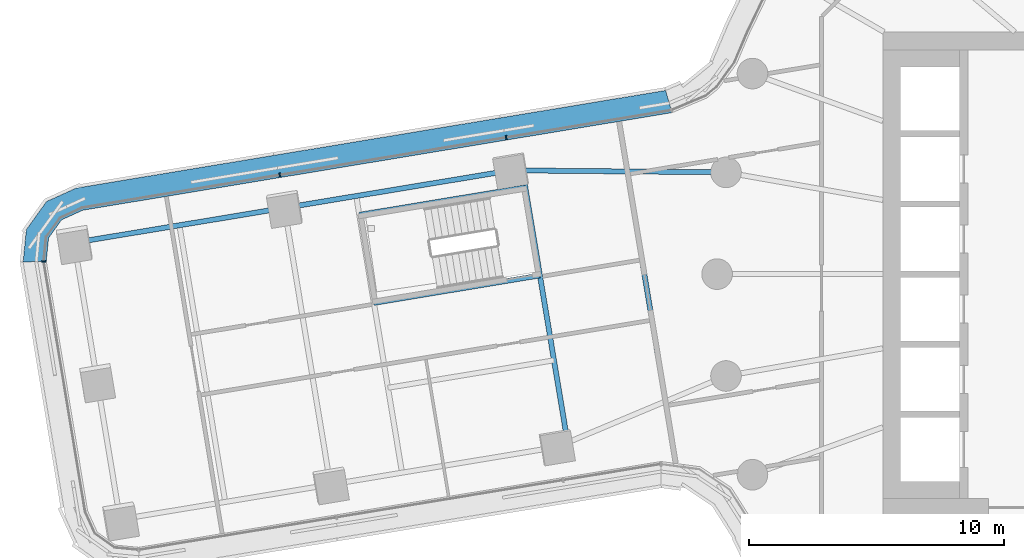
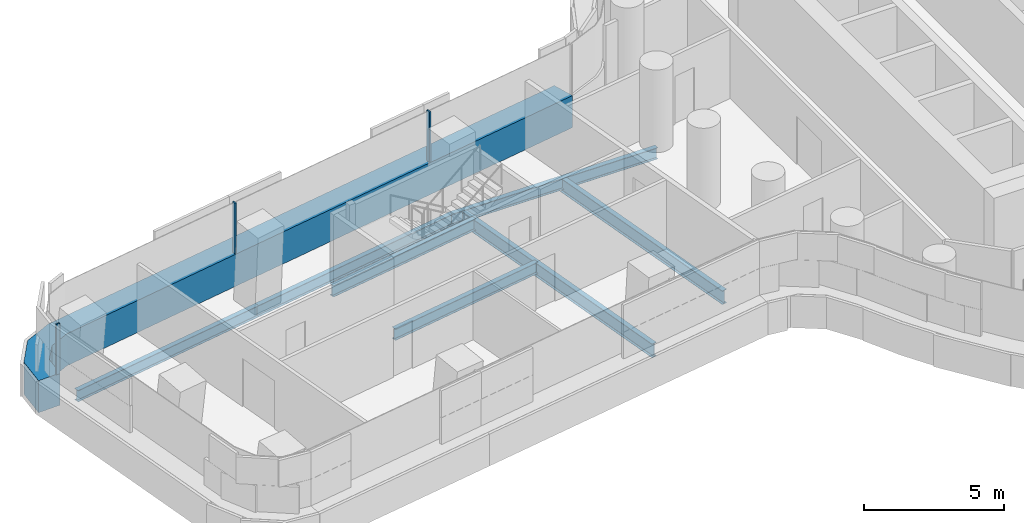
# One storey, part 8 of 32: 7 beams, 4 members, 2 elements without a shape of their own.
"""IFC4 building model written with IfcOpenShell, lengths in metres."""

from ifc_helpers import new_model, si_unit, direction, frame, origin, origin_2d, place, context, subcontext, project, spatial, polyline, rectangle, i_section, outline, extrude, material, layer, layer_set, material_profile, profile_set, type_object, element, aggregate, save


model = new_model("IFC4")

# Units and contexts
model_context = context("Model", 3, precision=1e-05, world=origin(), true_north=direction((0.0, 1.0)))
body_context = subcontext(model_context, "Body", "Model", "MODEL_VIEW")
ifc_project = project(units=[si_unit("LENGTHUNIT", "METRE"), si_unit("AREAUNIT", "SQUARE_METRE"), si_unit("VOLUMEUNIT", "CUBIC_METRE"), si_unit("PLANEANGLEUNIT", "RADIAN"), si_unit("MASSUNIT", "GRAM", prefix="KILO")], contexts=[model_context])

# Site, building, storey
site_placement = place(None, origin())
site = spatial("IfcSite", under=ifc_project, at=site_placement, CompositionType="ELEMENT")
building_placement = place(site_placement, origin())
building = spatial("IfcBuilding", under=site, at=building_placement, Name="Tamarind Cross Interchange Tower", CompositionType="ELEMENT")
storey_placement = place(building_placement, frame((0.0, 0.0, 67.75)))
storey = spatial("IfcBuildingStorey", under=building, at=storey_placement, Name="L15", CompositionType="ELEMENT", Elevation=67.75)

# Beams
ifc_material_1 = material(Name="Steel Q355B", Category="steel")
ifc_material_profile_1 = material_profile(ifc_material_1, i_section(OverallWidth=0.198974609375, OverallDepth=0.49609375, WebThickness=0.009033203125, FlangeThickness=0.013916015625, FilletRadius=0.012939453125, at=origin_2d()), Name="HN 496x199x9x14")
ifc_profile_set_1 = profile_set([ifc_material_profile_1], Name="Steel Q355B")
beam_type_1 = type_object("IfcBeamType", Name="Composite beam HN 496x199x9x14 Q355B", PredefinedType="BEAM", material=ifc_profile_set_1)
beam_1_placement = place(storey_placement, frame((-48.214111328125, 1.233642578125, -0.387939453125), z_axis=(0.986562301654, 0.163385510234, 0.0), x_axis=(-0.163385510234, 0.986562301654, 0.0)))
element("IfcBeam", 1, at=beam_1_placement, inside=storey, type_object=beam_type_1, Name="Beam W-edgeem5", PredefinedType="BEAM", context=body_context, shape_type="SweptSolid", body=[
    extrude(i_section(OverallWidth=0.198974609375, OverallDepth=0.49609375, WebThickness=0.009033203125, FlangeThickness=0.013916015625, FilletRadius=0.012939453125, at=origin_2d()), origin(), (0.0, 0.0, 1.0), 8.3603515625),
])
beam_2_placement = place(storey_placement, frame((-39.966064453125, 2.599609375, -0.387939453125), z_axis=(0.986562033476, 0.163387129554, 0.0), x_axis=(-0.163387129554, 0.986562033476, 0.0)))
element("IfcBeam", 2, at=beam_2_placement, inside=storey, type_object=beam_type_1, Name="Beam W-edgeem6", PredefinedType="BEAM", context=body_context, shape_type="SweptSolid", body=[
    extrude(i_section(OverallWidth=0.198974609375, OverallDepth=0.49609375, WebThickness=0.009033203125, FlangeThickness=0.013916015625, FilletRadius=0.012939453125, at=origin_2d()), origin(), (0.0, 0.0, 1.0), 8.999755859375),
])
beam_3_placement = place(storey_placement, frame((-31.087158203125, 4.070068359375, -0.387939453125), z_axis=(0.999959242671, -0.00902845479, 0.0), x_axis=(0.00902845479, 0.999959242671, 0.0)))
element("IfcBeam", 3, at=beam_3_placement, inside=storey, type_object=beam_type_1, Name="Beam W-linkem", PredefinedType="BEAM", context=body_context, shape_type="SweptSolid", body=[
    extrude(i_section(OverallWidth=0.198974609375, OverallDepth=0.49609375, WebThickness=0.009033203125, FlangeThickness=0.013916015625, FilletRadius=0.012939453125, at=origin_2d()), origin(), (0.0, 0.0, 1.0), 8.436767578125),
])
beam_4_placement = place(storey_placement, frame((-30.5205078125, 3.403564453125, -0.387939453125), z_axis=(-0.986568319398, -0.163349169452, 0.0), x_axis=(0.163349169452, -0.986568319398, 0.0)))
element("IfcBeam", 4, at=beam_4_placement, inside=storey, type_object=beam_type_1, Name="Beam W-tr0", PredefinedType="BEAM", context=body_context, shape_type="SweptSolid", body=[
    extrude(i_section(OverallWidth=0.198974609375, OverallDepth=0.49609375, WebThickness=0.009033203125, FlangeThickness=0.013916015625, FilletRadius=0.012939453125, at=origin_2d()), origin(), (0.0, 0.0, 1.0), 6.60009765625),
])
beam_5_placement = place(storey_placement, frame((-29.94873046875, -0.04931640625, -0.387939453125), z_axis=(-0.986561370107, -0.163391135049, 0.0), x_axis=(0.163391135049, -0.986561370107, 0.0)))
element("IfcBeam", 5, at=beam_5_placement, inside=storey, type_object=beam_type_1, Name="Beam W-tr1", PredefinedType="BEAM", context=body_context, shape_type="SweptSolid", body=[
    extrude(i_section(OverallWidth=0.198974609375, OverallDepth=0.49609375, WebThickness=0.009033203125, FlangeThickness=0.013916015625, FilletRadius=0.012939453125, at=origin_2d()), origin(), (0.0, 0.0, 1.0), 6.599853515625),
])
ifc_material_profile_2 = material_profile(ifc_material_1, i_section(OverallWidth=0.199951171875, OverallDepth=0.60009765625, WebThickness=0.010986328125, FlangeThickness=0.01708984375, FilletRadius=0.012939453125, at=origin_2d()), Name="HN 600x200x11x17")
ifc_profile_set_2 = profile_set([ifc_material_profile_2], Name="Steel Q355B")
beam_type_2 = type_object("IfcBeamType", Name="Composite beam HN 600x200x11x17 Q355B", PredefinedType="BEAM", material=ifc_profile_set_2)
beam_6_placement = place(storey_placement, frame((-30.63037109375, 4.06591796875, -0.43994140625), z_axis=(0.163381157748, -0.986563022464, 0.0), x_axis=(0.986563022464, 0.163381157748, 0.0)))
element("IfcBeam", 6, at=beam_6_placement, inside=storey, type_object=beam_type_2, Name="Beam W-x298", PredefinedType="BEAM", context=body_context, shape_type="SweptSolid", body=[
    extrude(i_section(OverallWidth=0.199951171875, OverallDepth=0.60009765625, WebThickness=0.010986328125, FlangeThickness=0.01708984375, FilletRadius=0.012939453125, at=origin_2d()), origin(), (0.0, 0.0, 1.0), 10.814208984375),
])
beam_7_placement = place(storey_placement, frame((-26.51904296875, 4.02880859375, -0.43994140625), z_axis=(0.163394300223, -0.986560845896, 0.0), x_axis=(0.986560845896, 0.163394300223, 0.0)))
element("IfcBeam", 7, at=beam_7_placement, inside=storey, type_object=beam_type_2, Name="Beam W-x258", PredefinedType="BEAM", context=body_context, shape_type="SweptSolid", body=[
    extrude(i_section(OverallWidth=0.199951171875, OverallDepth=0.60009765625, WebThickness=0.010986328125, FlangeThickness=0.01708984375, FilletRadius=0.012939453125, at=origin_2d()), origin(), (0.0, 0.0, 1.0), 9.142822265625),
])

# Curtain wall, members
ifc_material_2 = material(Name="Aluminium 6063-T6", Category="aluminium")
ifc_layer = layer(ifc_material_2, 0.159912109375)
ifc_layer_set = layer_set([ifc_layer], Name="Aluminium 6063-T6")
curtain_wall_type = type_object("IfcCurtainWallType", Name="Office curtain wall, 9.0 m bays", PredefinedType="NOTDEFINED", material=ifc_layer_set)
curtain_wall_1_placement = place(storey_placement, origin())
curtain_wall_1 = element("IfcCurtainWall", 8, at=curtain_wall_1_placement, inside=storey, type_object=curtain_wall_type, Name="CWS-L15-03", PredefinedType="NOTDEFINED")
ifc_material_3 = material(Name="Aluminium and insulated spandrel panel", Category="aluminium")
member_type_1 = type_object("IfcMemberType", Name="Floor-edge blade transom", PredefinedType="USERDEFINED", material=ifc_material_3)
member_1_placement = place(storey_placement, origin())
member_1 = element("IfcMember", 9, at=member_1_placement, type_object=member_type_1, Name="CWT-L15-03", ObjectType="TRANSOM", PredefinedType="USERDEFINED", context=body_context, shape_type="SweptSolid", body=[
    extrude(outline(polyline([(-24.766845703125, 6.3330078125), (-47.8779296875, 2.505615234375), (-48.71142578125, 2.12744140625), (-49.220458984375, 1.41650390625), (-49.309814453125, 0.50537109375), (-50.217041015625, 0.475341796875), (-50.0927734375, 1.744140625), (-49.302978515625, 2.847412109375), (-48.141845703125, 3.374267578125), (-25.0185546875, 7.20361328125), (-24.766845703125, 6.3330078125)])), origin(), (0.0, 0.0, 1.0), 1.39990234375),
])
ifc_material_profile_3 = material_profile(ifc_material_2, rectangle(XDim=0.06005859375, YDim=0.159912109375, at=origin_2d()), Name="Mullion CW1")
ifc_profile_set_3 = profile_set([ifc_material_profile_3], Name="Aluminium 6063-T6")
member_type_2 = type_object("IfcMemberType", Name="Mullion CW1", PredefinedType="MULLION", material=ifc_profile_set_3)
member_2_placement = place(storey_placement, frame((-31.275390625, 5.3564453125, 1.39990234375), z_axis=(0.0, 0.0, 1.0), x_axis=(-0.986563038226, -0.163381062571, 0.0)))
member_2 = element("IfcMember", 10, at=member_2_placement, type_object=member_type_2, Name="CWM-L15-03-01", PredefinedType="MULLION", context=body_context, shape_type="SweptSolid", body=[
    extrude(rectangle(XDim=0.06005859375, YDim=0.159912109375, at=origin_2d()), origin(), (0.0, 0.0, 1.0), 2.210205078125),
])
member_3_placement = place(storey_placement, frame((-40.1533203125, 3.88623046875, 1.39990234375), z_axis=(0.0, 0.0, 1.0), x_axis=(-0.986563038226, -0.163381062571, 0.0)))
member_3 = element("IfcMember", 11, at=member_3_placement, type_object=member_type_2, Name="CWM-L15-03-02", PredefinedType="MULLION", context=body_context, shape_type="SweptSolid", body=[
    extrude(rectangle(XDim=0.06005859375, YDim=0.159912109375, at=origin_2d()), origin(), (0.0, 0.0, 1.0), 2.210205078125),
])
aggregate(curtain_wall_1, [member_2, member_3, member_1])

# Curtain wall, member
curtain_wall_2_placement = place(storey_placement, origin())
curtain_wall_2 = element("IfcCurtainWall", 12, at=curtain_wall_2_placement, inside=storey, type_object=curtain_wall_type, Name="CWS-L15-04", PredefinedType="NOTDEFINED")
member_4_placement = place(storey_placement, frame((-49.41064453125, 0.501953125, 1.39990234375), z_axis=(0.0, 0.0, 1.0), x_axis=(0.033210998167, -0.999448362648, 0.0)))
member_4 = element("IfcMember", 13, at=member_4_placement, type_object=member_type_2, Name="CWM-L15-04-00", PredefinedType="MULLION", context=body_context, shape_type="SweptSolid", body=[
    extrude(rectangle(XDim=0.06005859375, YDim=0.159912109375, at=origin_2d()), origin(), (0.0, 0.0, 1.0), 2.210205078125),
])
aggregate(curtain_wall_2, [member_4])

save(model, "model.ifc")
